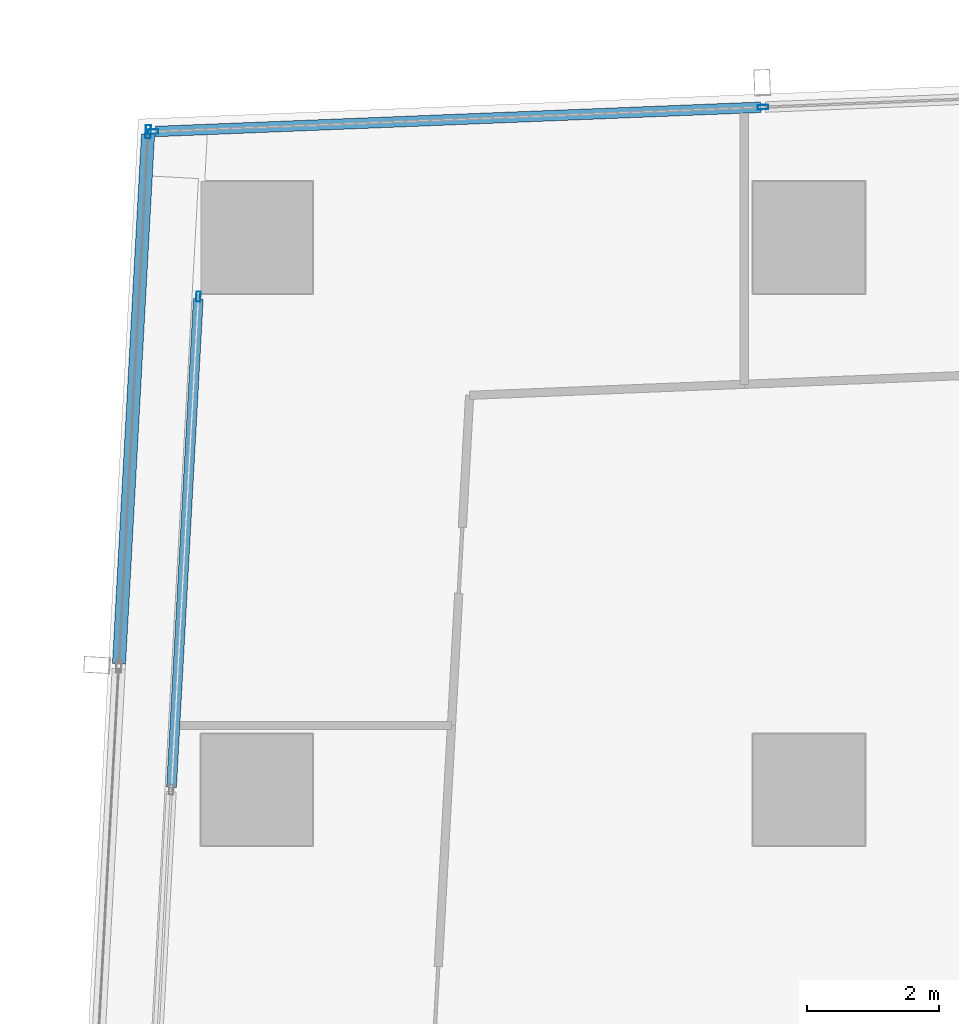
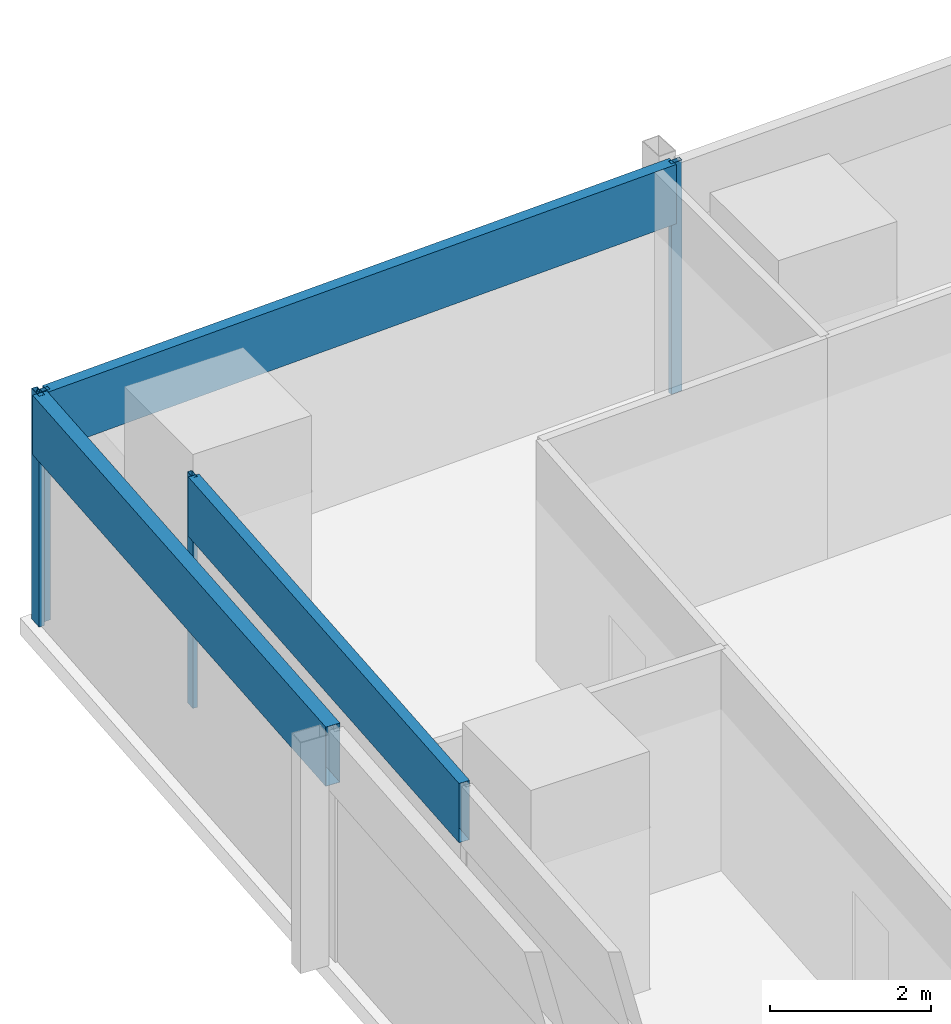
# One storey, part 15 of 40: 7 members, 3 elements without a shape of their own.
"""IFC4 building model written with IfcOpenShell, lengths in metres."""

from ifc_helpers import new_model, si_unit, direction, frame, origin, origin_2d, place, context, subcontext, project, spatial, hollow_rectangle, extrude, material, material_profile, profile_set, type_object, element, aggregate, save


model = new_model("IFC4")

# Units and contexts
model_context = context("Model", 3, precision=1e-05, world=origin(), true_north=direction((0.0, 1.0)))
body_context = subcontext(model_context, "Body", "Model", "MODEL_VIEW")
ifc_project = project(units=[si_unit("LENGTHUNIT", "METRE"), si_unit("AREAUNIT", "SQUARE_METRE"), si_unit("VOLUMEUNIT", "CUBIC_METRE"), si_unit("PLANEANGLEUNIT", "RADIAN"), si_unit("MASSUNIT", "GRAM", prefix="KILO")], contexts=[model_context])

# Site, building, storey
site_placement = place(None, origin())
site = spatial("IfcSite", under=ifc_project, at=site_placement, CompositionType="ELEMENT")
building_placement = place(site_placement, origin())
building = spatial("IfcBuilding", under=site, at=building_placement, Name="Rekha Terrace Tower", CompositionType="ELEMENT")
storey_placement = place(building_placement, frame((0.0, 0.0, 125.300048828125)))
storey = spatial("IfcBuildingStorey", under=building, at=storey_placement, Name="L31", CompositionType="ELEMENT", Elevation=125.300048828125)

# Curtain wall, members
ifc_material_1 = material(Name="Aluminium framing", Category="aluminium")
curtain_wall_type_1 = type_object("IfcCurtainWallType", Name="CW1 double skin inner glazing", PredefinedType="USERDEFINED", material=ifc_material_1)
curtain_wall_1_placement = place(storey_placement, origin())
curtain_wall_1 = element("IfcCurtainWall", 1, at=curtain_wall_1_placement, inside=storey, type_object=curtain_wall_type_1, Name="CW1 double skin inner glazing", ObjectType="DOUBLE SKIN INNER GLAZING", PredefinedType="USERDEFINED")
ifc_material_2 = material(Name="Aluminium mullion section", Category="aluminium")
ifc_material_profile_1 = material_profile(ifc_material_2, hollow_rectangle(XDim=0.06494140625, YDim=0.14990234375, WallThickness=0.00390625, at=origin_2d()), Name="AL RHS 65x150")
ifc_profile_set_1 = profile_set([ifc_material_profile_1], Name="Aluminium mullion section")
member_type_1 = type_object("IfcMemberType", Name="CW1 mullion RHS 65 x 150", PredefinedType="MULLION", material=ifc_profile_set_1)
member_1_placement = place(storey_placement, frame((7.513427734375, 57.8994140625, 0.0), z_axis=(0.0, 0.0, 1.0), x_axis=(0.99850051318, -0.054742352707, 0.0)))
member_1 = element("IfcMember", 2, at=member_1_placement, type_object=member_type_1, Name="CW1 mullion 1", PredefinedType="MULLION", context=body_context, shape_type="SweptSolid", body=[
    extrude(hollow_rectangle(XDim=0.06494140625, YDim=0.14990234375, WallThickness=0.00390625, at=origin_2d()), origin(), (0.0, 0.0, 1.0), 3.5),
])
ifc_material_3 = material(Name="Insulated aluminium spandrel box", Category="aluminium")
ifc_material_profile_2 = material_profile(ifc_material_3, hollow_rectangle(XDim=0.14990234375, YDim=0.89990234375, WallThickness=0.0029296875, at=origin_2d()), Name="AL SPANDREL BOX 150x900")
ifc_profile_set_2 = profile_set([ifc_material_profile_2], Name="Insulated aluminium spandrel box")
member_type_2 = type_object("IfcMemberType", Name="CW1 spandrel transom 150 x 900", PredefinedType="USERDEFINED", material=ifc_profile_set_2)
member_2_placement = place(storey_placement, frame((7.51171875, 57.866943359375, 3.050048828125), z_axis=(-0.054743356699, -0.998500458136, 0.0), x_axis=(0.998500458136, -0.054743356699, 0.0)))
member_2 = element("IfcMember", 3, at=member_2_placement, type_object=member_type_2, Name="CW1 spandrel transom 1", ObjectType="TRANSOM", PredefinedType="USERDEFINED", context=body_context, shape_type="SweptSolid", body=[
    extrude(hollow_rectangle(XDim=0.14990234375, YDim=0.89990234375, WallThickness=0.0029296875, at=origin_2d()), origin(), (0.0, 0.0, 1.0), 7.443359375),
])
aggregate(curtain_wall_1, [member_1, member_2])

curtain_wall_type_2 = type_object("IfcCurtainWallType", Name="CW2 double skin outer glazing", PredefinedType="USERDEFINED", material=ifc_material_1)
curtain_wall_2_placement = place(storey_placement, origin())
curtain_wall_2 = element("IfcCurtainWall", 4, at=curtain_wall_2_placement, inside=storey, type_object=curtain_wall_type_2, Name="CW2 double skin outer glazing", ObjectType="DOUBLE SKIN OUTER GLAZING", PredefinedType="USERDEFINED")
ifc_material_profile_3 = material_profile(ifc_material_2, hollow_rectangle(XDim=0.080078125, YDim=0.199951171875, WallThickness=0.00390625, at=origin_2d()), Name="AL RHS 80x200")
ifc_profile_set_3 = profile_set([ifc_material_profile_3], Name="Aluminium mullion section")
member_type_3 = type_object("IfcMemberType", Name="CW2 mullion RHS 80 x 200", PredefinedType="MULLION", material=ifc_profile_set_3)
member_3_placement = place(storey_placement, frame((6.74951171875, 60.406005859375, 0.0), z_axis=(0.0, 0.0, 1.0), x_axis=(0.99850051318, -0.054742352707, 0.0)))
member_3 = element("IfcMember", 5, at=member_3_placement, type_object=member_type_3, Name="CW2 mullion 1", PredefinedType="MULLION", context=body_context, shape_type="SweptSolid", body=[
    extrude(hollow_rectangle(XDim=0.080078125, YDim=0.199951171875, WallThickness=0.00390625, at=origin_2d()), origin(), (0.0, 0.0, 1.0), 3.5),
])
ifc_material_profile_4 = material_profile(ifc_material_3, hollow_rectangle(XDim=0.199951171875, YDim=0.89990234375, WallThickness=0.0029296875, at=origin_2d()), Name="AL SPANDREL BOX 200x900")
ifc_profile_set_4 = profile_set([ifc_material_profile_4], Name="Insulated aluminium spandrel box")
member_type_4 = type_object("IfcMemberType", Name="CW2 spandrel transom 200 x 900", PredefinedType="USERDEFINED", material=ifc_profile_set_4)
member_4_placement = place(storey_placement, frame((6.747314453125, 60.365966796875, 3.050048828125), z_axis=(-0.054735200093, -0.998500905293, 0.0), x_axis=(0.998500905293, -0.054735200093, 0.0)))
member_4 = element("IfcMember", 6, at=member_4_placement, type_object=member_type_4, Name="CW2 spandrel transom 1", ObjectType="TRANSOM", PredefinedType="USERDEFINED", context=body_context, shape_type="SweptSolid", body=[
    extrude(hollow_rectangle(XDim=0.199951171875, YDim=0.89990234375, WallThickness=0.0029296875, at=origin_2d()), origin(), (0.0, 0.0, 1.0), 8.059814453125),
])
aggregate(curtain_wall_2, [member_3, member_4])

curtain_wall_type_3 = type_object("IfcCurtainWallType", Name="CW3 north unitised glazing", PredefinedType="USERDEFINED", material=ifc_material_1)
curtain_wall_3_placement = place(storey_placement, origin())
curtain_wall_3 = element("IfcCurtainWall", 7, at=curtain_wall_3_placement, inside=storey, type_object=curtain_wall_type_3, Name="CW3 unitised curtain wall", ObjectType="UNITISED CURTAIN WALL", PredefinedType="USERDEFINED")
ifc_material_profile_5 = material_profile(ifc_material_2, hollow_rectangle(XDim=0.070068359375, YDim=0.159912109375, WallThickness=0.00390625, at=origin_2d()), Name="AL RHS 70x160")
ifc_profile_set_5 = profile_set([ifc_material_profile_5], Name="Aluminium mullion section")
member_type_5 = type_object("IfcMemberType", Name="CW3 mullion RHS 70 x 160", PredefinedType="MULLION", material=ifc_profile_set_5)
member_5_placement = place(storey_placement, frame((16.101806640625, 60.780517578125, 0.0), z_axis=(0.0, 0.0, 1.0), x_axis=(0.040031987119, -0.999198398721, 0.0)))
member_5 = element("IfcMember", 8, at=member_5_placement, type_object=member_type_5, Name="CW3 mullion 4", PredefinedType="MULLION", context=body_context, shape_type="SweptSolid", body=[
    extrude(hollow_rectangle(XDim=0.070068359375, YDim=0.159912109375, WallThickness=0.00390625, at=origin_2d()), origin(), (0.0, 0.0, 1.0), 3.5),
])
member_6_placement = place(storey_placement, frame((6.82470703125, 60.408935546875, 0.0), z_axis=(0.0, 0.0, 1.0), x_axis=(0.040031987119, -0.999198398721, 0.0)))
member_6 = element("IfcMember", 9, at=member_6_placement, type_object=member_type_5, Name="CW3 mullion 5", PredefinedType="MULLION", context=body_context, shape_type="SweptSolid", body=[
    extrude(hollow_rectangle(XDim=0.070068359375, YDim=0.159912109375, WallThickness=0.00390625, at=origin_2d()), origin(), (0.0, 0.0, 1.0), 3.5),
])
ifc_material_profile_6 = material_profile(ifc_material_3, hollow_rectangle(XDim=0.159912109375, YDim=0.89990234375, WallThickness=0.0029296875, at=origin_2d()), Name="AL SPANDREL BOX 160x900")
ifc_profile_set_6 = profile_set([ifc_material_profile_6], Name="Insulated aluminium spandrel box")
member_type_6 = type_object("IfcMemberType", Name="CW3 spandrel transom 160 x 900", PredefinedType="USERDEFINED", material=ifc_profile_set_6)
member_7_placement = place(storey_placement, frame((16.06689453125, 60.779052734375, 3.050048828125), z_axis=(-0.999198332483, -0.040033640399, 0.0), x_axis=(0.040033640399, -0.999198332483, 0.0)))
member_7 = element("IfcMember", 10, at=member_7_placement, type_object=member_type_6, Name="CW3 spandrel transom 4", ObjectType="TRANSOM", PredefinedType="USERDEFINED", context=body_context, shape_type="SweptSolid", body=[
    extrude(hollow_rectangle(XDim=0.159912109375, YDim=0.89990234375, WallThickness=0.0029296875, at=origin_2d()), origin(), (0.0, 0.0, 1.0), 9.214599609375),
])
aggregate(curtain_wall_3, [member_5, member_6, member_7])

save(model, "model.ifc")
